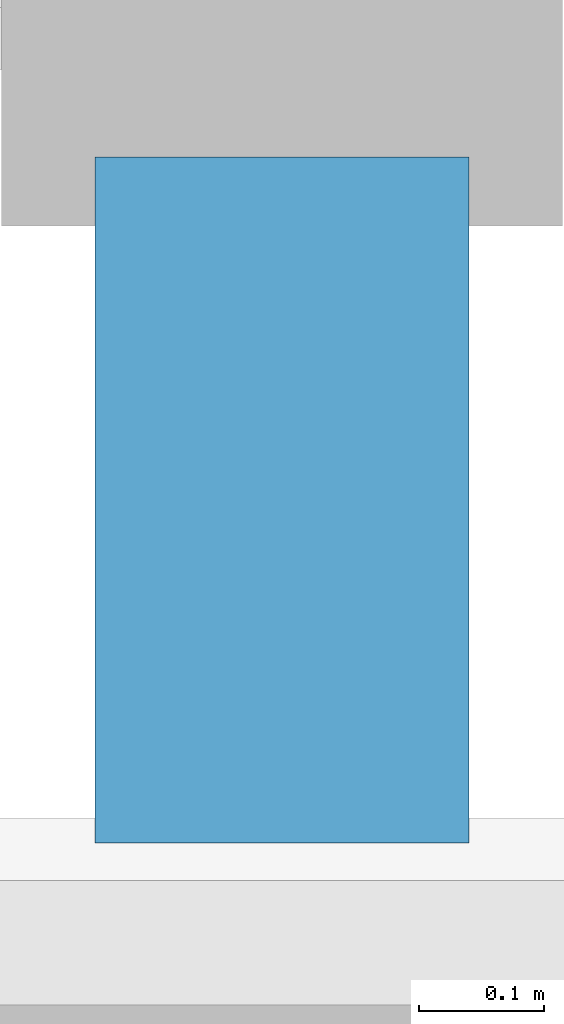
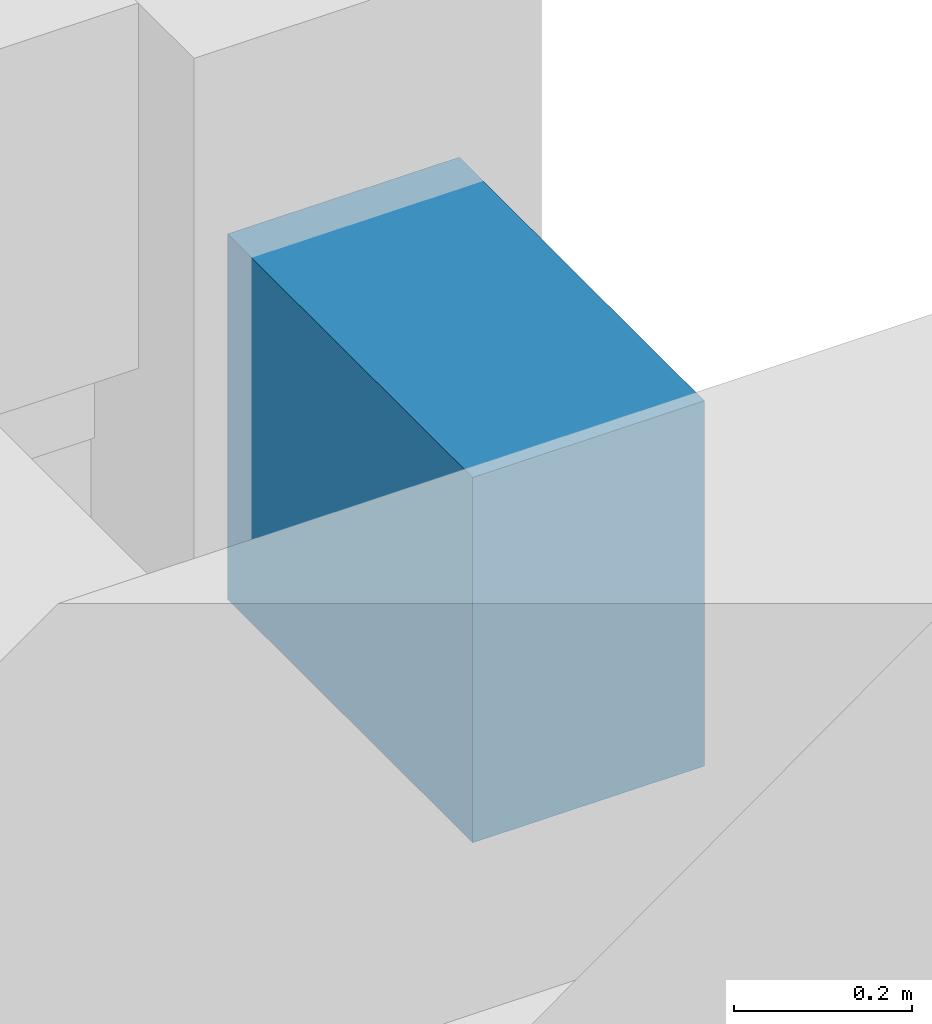
# One storey, part 86 of 114: 1 beam.
"""IFC4 building model written with IfcOpenShell, lengths in metres."""

from ifc_helpers import new_model, si_unit, direction, frame, origin, origin_2d, place, context, subcontext, project, spatial, rectangle, extrude, material, material_profile, profile_set, type_object, element, save


model = new_model("IFC4")

# Units and contexts
model_context = context("Model", 3, precision=1e-05, world=origin(), true_north=direction((0.0, 1.0)))
body_context = subcontext(model_context, "Body", "Model", "MODEL_VIEW")
ifc_project = project(units=[si_unit("LENGTHUNIT", "METRE"), si_unit("AREAUNIT", "SQUARE_METRE"), si_unit("VOLUMEUNIT", "CUBIC_METRE"), si_unit("PLANEANGLEUNIT", "RADIAN"), si_unit("MASSUNIT", "GRAM", prefix="KILO")], contexts=[model_context])

# Site, building, storey
site_placement = place(None, origin())
site = spatial("IfcSite", under=ifc_project, at=site_placement, CompositionType="ELEMENT")
building_placement = place(site_placement, origin())
building = spatial("IfcBuilding", under=site, at=building_placement, Name="Xazarin Passage Department Store", CompositionType="ELEMENT")
storey_placement = place(building_placement, frame((0.0, 0.0, 14.39990234375)))
storey = spatial("IfcBuildingStorey", under=building, at=storey_placement, Name="L03", CompositionType="ELEMENT", Elevation=14.39990234375)

# Beam
ifc_material = material(Name="Concrete C35/45", Category="concrete")
ifc_material_profile = material_profile(ifc_material, rectangle(XDim=0.300048828125, YDim=0.5, at=origin_2d()), Name="RC 300x500")
ifc_profile_set = profile_set([ifc_material_profile], Name="Concrete C35/45")
beam_type = type_object("IfcBeamType", Name="STR-BM-LN300x500", PredefinedType="LINTEL", material=ifc_profile_set)
beam_placement = place(storey_placement, frame((142.780029296875, 110.280029296875, 3.9501953125), z_axis=(0.0, 1.0, 0.0), x_axis=(-1.0, 0.0, 0.0)))
element("IfcBeam", 1, at=beam_placement, inside=storey, type_object=beam_type, Name="L03 V4 Colonnade Tie Rib 044R", PredefinedType="LINTEL", context=body_context, shape_type="SweptSolid", body=[
    extrude(rectangle(XDim=0.300048828125, YDim=0.5, at=origin_2d()), origin(), (0.0, 0.0, 1.0), 0.550048828125),
])

save(model, "model.ifc")
